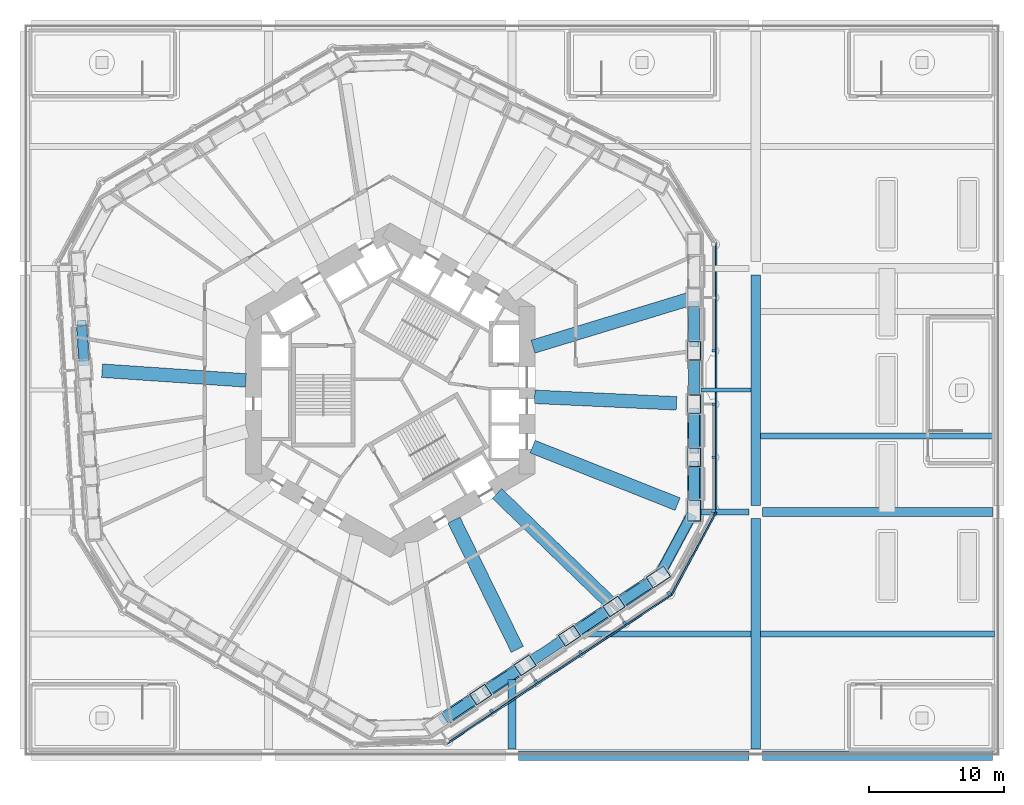
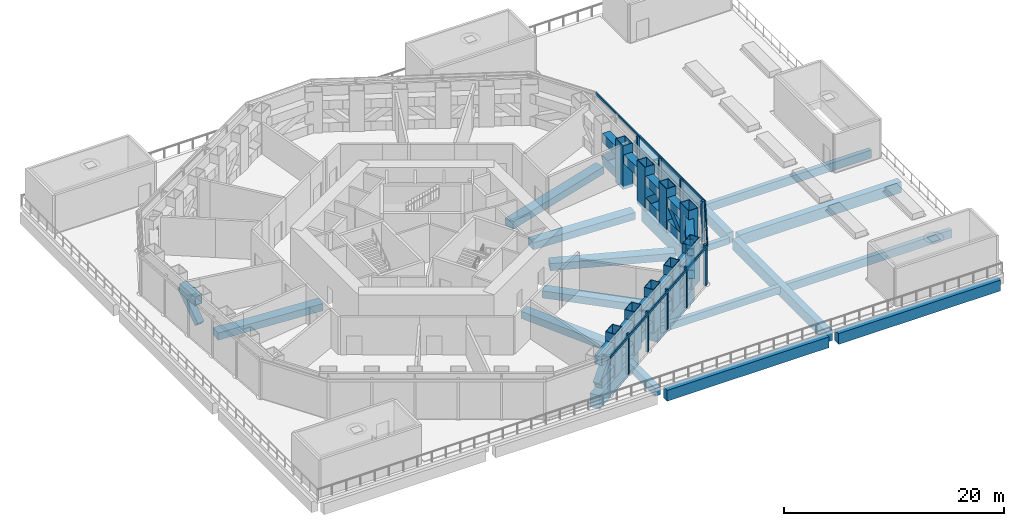
# One storey, part 2 of 20: 51 members, 20 beams, 3 elements without a shape of their own.
"""IFC4 building model written with IfcOpenShell, lengths in metres."""

from ifc_helpers import new_model, si_unit, direction, frame, origin, origin_2d, place, context, subcontext, project, spatial, rectangle, hollow_rectangle, extrude, material, material_profile, profile_set, type_object, element, aggregate, save


model = new_model("IFC4")

# Units and contexts
model_context = context("Model", 3, precision=1e-05, world=origin(), true_north=direction((0.0, 1.0)))
body_context = subcontext(model_context, "Body", "Model", "MODEL_VIEW")
ifc_project = project(units=[si_unit("LENGTHUNIT", "METRE"), si_unit("AREAUNIT", "SQUARE_METRE"), si_unit("VOLUMEUNIT", "CUBIC_METRE"), si_unit("PLANEANGLEUNIT", "RADIAN"), si_unit("MASSUNIT", "GRAM", prefix="KILO")], contexts=[model_context])

# Site, building, storey
site_placement = place(None, origin())
site = spatial("IfcSite", under=ifc_project, at=site_placement, CompositionType="ELEMENT")
building_placement = place(site_placement, origin())
building = spatial("IfcBuilding", under=site, at=building_placement, Name="Vanh Sen Convention Tower", CompositionType="ELEMENT")
storey_placement = place(building_placement, frame((0.0, 0.0, 34.5)))
storey = spatial("IfcBuildingStorey", under=building, at=storey_placement, Name="L05", CompositionType="ELEMENT", Elevation=34.5)

# Curtain wall, member
ifc_material_1 = material(Name="Concrete C50/60", Category="concrete")
curtain_wall_type = type_object("IfcCurtainWallType", Name="Outer skin hotel zone", PredefinedType="NOTDEFINED", material=ifc_material_1)
curtain_wall_1_placement = place(storey_placement, origin())
curtain_wall_1 = element("IfcCurtainWall", 1, at=curtain_wall_1_placement, inside=storey, type_object=curtain_wall_type, Name="OUTER SKIN E L05", PredefinedType="NOTDEFINED")
ifc_material_profile_1 = material_profile(ifc_material_1, rectangle(XDim=0.25, YDim=0.300048828125, at=origin_2d()), Name="Outer skin precast corner fin 250 x 300")
ifc_profile_set_1 = profile_set([ifc_material_profile_1], Name="Concrete C50/60")
member_type_1 = type_object("IfcMemberType", Name="Outer skin precast corner fin 250 x 300", PredefinedType="MULLION", material=ifc_profile_set_1)
member_1_placement = place(storey_placement, frame((23.89990234375, -8.899169921875, 0.0), z_axis=(0.0, 0.0, 1.0), x_axis=(0.0, 1.0, 0.0)))
member_1 = element("IfcMember", 2, at=member_1_placement, type_object=member_type_1, Name="OUTER SKIN CORNER FIN 1 E L05", PredefinedType="MULLION", context=body_context, shape_type="SweptSolid", body=[
    extrude(rectangle(XDim=0.25, YDim=0.300048828125, at=origin_2d()), origin(), (0.0, 0.0, 1.0), 4.5),
])

curtain_wall_2_placement = place(storey_placement, origin())
curtain_wall_2 = element("IfcCurtainWall", 3, at=curtain_wall_2_placement, inside=storey, type_object=curtain_wall_type, Name="OUTER SKIN SE L05", PredefinedType="NOTDEFINED")
member_2_placement = place(storey_placement, frame((20.6123046875, -15.01806640625, 0.0), z_axis=(0.0, 0.0, 1.0), x_axis=(0.833885822067, 0.551936985312, 0.0)))
member_2 = element("IfcMember", 4, at=member_2_placement, type_object=member_type_1, Name="OUTER SKIN CORNER FIN 6 SE L05", PredefinedType="MULLION", context=body_context, shape_type="SweptSolid", body=[
    extrude(rectangle(XDim=0.25, YDim=0.300048828125, at=origin_2d()), origin(), (0.0, 0.0, 1.0), 4.5),
])

# Member
ifc_material_profile_2 = material_profile(ifc_material_1, rectangle(XDim=0.199951171875, YDim=0.25, at=origin_2d()), Name="Outer skin precast fin 200 x 250")
ifc_profile_set_2 = profile_set([ifc_material_profile_2], Name="Concrete C50/60")
member_type_2 = type_object("IfcMemberType", Name="Outer skin precast fin 200 x 250", PredefinedType="MULLION", material=ifc_profile_set_2)
member_3_placement = place(storey_placement, frame((23.89990234375, -4.964599609375, 0.0), z_axis=(0.0, 0.0, 1.0), x_axis=(0.0, 1.0, 0.0)))
member_3 = element("IfcMember", 5, at=member_3_placement, type_object=member_type_2, Name="OUTER SKIN fin 2 E L05", PredefinedType="MULLION", context=body_context, shape_type="SweptSolid", body=[
    extrude(rectangle(XDim=0.199951171875, YDim=0.25, at=origin_2d()), origin(), (0.0, 0.0, 1.0), 4.5),
])

member_4_placement = place(storey_placement, frame((23.89990234375, -1.030029296875, 0.0), z_axis=(0.0, 0.0, 1.0), x_axis=(0.0, 1.0, 0.0)))
member_4 = element("IfcMember", 6, at=member_4_placement, type_object=member_type_2, Name="OUTER SKIN fin 3 E L05", PredefinedType="MULLION", context=body_context, shape_type="SweptSolid", body=[
    extrude(rectangle(XDim=0.199951171875, YDim=0.25, at=origin_2d()), origin(), (0.0, 0.0, 1.0), 4.5),
])

member_5_placement = place(storey_placement, frame((23.89990234375, 2.904541015625, 0.0), z_axis=(0.0, 0.0, 1.0), x_axis=(0.0, 1.0, 0.0)))
member_5 = element("IfcMember", 7, at=member_5_placement, type_object=member_type_2, Name="OUTER SKIN fin 4 E L05", PredefinedType="MULLION", context=body_context, shape_type="SweptSolid", body=[
    extrude(rectangle(XDim=0.199951171875, YDim=0.25, at=origin_2d()), origin(), (0.0, 0.0, 1.0), 4.5),
])

member_6_placement = place(storey_placement, frame((7.48828125, -23.70458984375, 0.0), z_axis=(0.0, 0.0, 1.0), x_axis=(0.833885822067, 0.551936985312, 0.0)))
member_6 = element("IfcMember", 8, at=member_6_placement, type_object=member_type_2, Name="OUTER SKIN fin 2 SE L05", PredefinedType="MULLION", context=body_context, shape_type="SweptSolid", body=[
    extrude(rectangle(XDim=0.199951171875, YDim=0.25, at=origin_2d()), origin(), (0.0, 0.0, 1.0), 4.5),
])

member_7_placement = place(storey_placement, frame((10.769287109375, -21.532958984375, 0.0), z_axis=(0.0, 0.0, 1.0), x_axis=(0.833885822067, 0.551936985312, 0.0)))
member_7 = element("IfcMember", 9, at=member_7_placement, type_object=member_type_2, Name="OUTER SKIN fin 3 SE L05", PredefinedType="MULLION", context=body_context, shape_type="SweptSolid", body=[
    extrude(rectangle(XDim=0.199951171875, YDim=0.25, at=origin_2d()), origin(), (0.0, 0.0, 1.0), 4.5),
])

member_8_placement = place(storey_placement, frame((14.05029296875, -19.361328125, 0.0), z_axis=(0.0, 0.0, 1.0), x_axis=(0.833885822067, 0.551936985312, 0.0)))
member_8 = element("IfcMember", 10, at=member_8_placement, type_object=member_type_2, Name="OUTER SKIN fin 4 SE L05", PredefinedType="MULLION", context=body_context, shape_type="SweptSolid", body=[
    extrude(rectangle(XDim=0.199951171875, YDim=0.25, at=origin_2d()), origin(), (0.0, 0.0, 1.0), 4.5),
])

member_9_placement = place(storey_placement, frame((17.331298828125, -17.189697265625, 0.0), z_axis=(0.0, 0.0, 1.0), x_axis=(0.833885822067, 0.551936985312, 0.0)))
member_9 = element("IfcMember", 11, at=member_9_placement, type_object=member_type_2, Name="OUTER SKIN fin 5 SE L05", PredefinedType="MULLION", context=body_context, shape_type="SweptSolid", body=[
    extrude(rectangle(XDim=0.199951171875, YDim=0.25, at=origin_2d()), origin(), (0.0, 0.0, 1.0), 4.5),
])

ifc_material_profile_3 = material_profile(ifc_material_1, rectangle(XDim=0.1201171875, YDim=0.25, at=origin_2d()), Name="Outer skin precast spandrel band 250 x 120")
ifc_profile_set_3 = profile_set([ifc_material_profile_3], Name="Concrete C50/60")
member_type_3 = type_object("IfcMemberType", Name="Outer skin precast spandrel band 250 x 120", PredefinedType="USERDEFINED", material=ifc_profile_set_3)
member_10_placement = place(storey_placement, frame((24.0849609375, -9.024169921875, 4.375), z_axis=(0.0, 1.0, 0.0), x_axis=(-1.0, 0.0, 0.0)))
member_10 = element("IfcMember", 12, at=member_10_placement, type_object=member_type_3, Name="OUTER SKIN spandrel band E L05", ObjectType="TRANSOM", PredefinedType="USERDEFINED", context=body_context, shape_type="SweptSolid", body=[
    extrude(rectangle(XDim=0.1201171875, YDim=0.25, at=origin_2d()), origin(), (0.0, 0.0, 1.0), 19.9228515625),
])

aggregate(curtain_wall_1, [member_1, member_3, member_4, member_5, member_10])

member_11_placement = place(storey_placement, frame((4.205078125, -26.099609375, 4.375), z_axis=(0.833883851182, 0.551939962984, 0.0), x_axis=(-0.551939962984, 0.833883851182, 0.0)))
member_11 = element("IfcMember", 13, at=member_11_placement, type_object=member_type_3, Name="OUTER SKIN spandrel band SE L05", ObjectType="TRANSOM", PredefinedType="USERDEFINED", context=body_context, shape_type="SweptSolid", body=[
    extrude(rectangle(XDim=0.1201171875, YDim=0.25, at=origin_2d()), origin(), (0.0, 0.0, 1.0), 19.923095703125),
])

aggregate(curtain_wall_2, [member_6, member_7, member_8, member_9, member_2, member_11])

# Curtain wall, member
curtain_wall_3_placement = place(storey_placement, origin())
curtain_wall_3 = element("IfcCurtainWall", 14, at=curtain_wall_3_placement, inside=storey, type_object=curtain_wall_type, Name="OUTER SKIN CH6 L05", PredefinedType="NOTDEFINED")
member_12_placement = place(storey_placement, frame((20.797119140625, -15.117431640625, 4.375), z_axis=(0.473324148816, 0.880888330123, 0.0), x_axis=(-0.880888330123, 0.473324148816, 0.0)))
member_12 = element("IfcMember", 15, at=member_12_placement, type_object=member_type_3, Name="OUTER SKIN spandrel band CH6 L05", ObjectType="TRANSOM", PredefinedType="USERDEFINED", context=body_context, shape_type="SweptSolid", body=[
    extrude(rectangle(XDim=0.1201171875, YDim=0.25, at=origin_2d()), origin(), (0.0, 0.0, 1.0), 6.9462890625),
])
aggregate(curtain_wall_3, [member_12])

# Beams
ifc_material_2 = material(Name="Concrete C50/60", Category="concrete")
ifc_material_profile_4 = material_profile(ifc_material_2, rectangle(XDim=0.449951171875, YDim=0.699951171875, at=origin_2d()), Name="RC 450X700")
ifc_profile_set_4 = profile_set([ifc_material_profile_4], Name="Concrete C50/60")
beam_type_1 = type_object("IfcBeamType", Name="Podium girder 450 x 700", PredefinedType="BEAM", material=ifc_profile_set_4)
beam_1_placement = place(storey_placement, frame((22.96337890625, -9.0, -0.699951171875), z_axis=(1.0, 0.0, 0.0), x_axis=(0.0, 1.0, 0.0)))
element("IfcBeam", 16, at=beam_1_placement, inside=storey, type_object=beam_type_1, Name="Podium girder 19 L05", PredefinedType="BEAM", context=body_context, shape_type="SweptSolid", body=[
    extrude(rectangle(XDim=0.449951171875, YDim=0.699951171875, at=origin_2d()), origin(), (0.0, 0.0, 1.0), 3.54150390625),
])
ifc_material_profile_5 = material_profile(ifc_material_2, rectangle(XDim=0.60009765625, YDim=0.89990234375, at=origin_2d()), Name="RC 600X900")
ifc_profile_set_5 = profile_set([ifc_material_profile_5], Name="Concrete C50/60")
beam_type_2 = type_object("IfcBeamType", Name="Podium girder 600 x 900", PredefinedType="BEAM", material=ifc_profile_set_5)
beam_2_placement = place(storey_placement, frame((9.0, -26.5048828125, -0.800048828125), z_axis=(0.0, 1.0, 0.0), x_axis=(-1.0, 0.0, 0.0)))
element("IfcBeam", 17, at=beam_2_placement, inside=storey, type_object=beam_type_2, Name="Podium girder 06 L05", PredefinedType="BEAM", context=body_context, shape_type="SweptSolid", body=[
    extrude(rectangle(XDim=0.60009765625, YDim=0.89990234375, at=origin_2d()), origin(), (0.0, 0.0, 1.0), 5.143798828125),
])
ifc_material_profile_6 = material_profile(ifc_material_2, rectangle(XDim=0.699951171875, YDim=1.199951171875, at=origin_2d()), Name="RC 700X1200")
ifc_profile_set_6 = profile_set([ifc_material_profile_6], Name="Concrete C50/60")
beam_type_3 = type_object("IfcBeamType", Name="Podium girder 700 x 1200", PredefinedType="BEAM", material=ifc_profile_set_6)
for number, where, z_axis, x_axis, name in (
    (18, (27.0, -26.5048828125, -0.949951171875), (0.0, 1.0, 0.0), (-1.0, 0.0, 0.0), "Podium girder 08 L05"),
    (19, (27.0, -8.5048828125, -0.949951171875), (0.0, 1.0, 0.0), (-1.0, 0.0, 0.0), "Podium girder 09 L05"),
    (20, (9.4951171875, -27.0, -0.949951171875), (1.0, 0.0, 0.0), (0.0, 1.0, 0.0), "Podium girder 16 L05"),
    (21, (27.4951171875, -27.0, -0.949951171875), (1.0, 0.0, 0.0), (0.0, 1.0, 0.0), "Podium girder 17 L05"),
    (22, (27.4951171875, -9.0, -0.949951171875), (1.0, 0.0, 0.0), (0.0, 1.0, 0.0), "Podium girder 20 L05"),
):
    element("IfcBeam", number, at=place(storey_placement, frame(where, z_axis=z_axis, x_axis=x_axis)), inside=storey, type_object=beam_type_3, Name=name, PredefinedType="BEAM", context=body_context, shape_type="SweptSolid", body=[
        extrude(rectangle(XDim=0.699951171875, YDim=1.199951171875, at=origin_2d()), origin(), (0.0, 0.0, 1.0), 17.009765625),
    ])
ifc_material_profile_7 = material_profile(ifc_material_2, rectangle(XDim=1.0, YDim=1.5, at=origin_2d()), Name="RC 1000X1500")
ifc_profile_set_7 = profile_set([ifc_material_profile_7], Name="Concrete C50/60")
beam_type_4 = type_object("IfcBeamType", Name="Podium ring girder 1000 x 1500", PredefinedType="BEAM", material=ifc_profile_set_7)
beam_3_placement = place(storey_placement, frame((3.486083984375, -24.61474609375, -1.10009765625), z_axis=(0.833877643649, 0.551949341355, 0.0), x_axis=(-0.551949341355, 0.833877643649, 0.0)))
element("IfcBeam", 23, at=beam_3_placement, inside=storey, type_object=beam_type_4, Name="Ring girder 10 L05", PredefinedType="BEAM", context=body_context, shape_type="SweptSolid", body=[
    extrude(rectangle(XDim=1.0, YDim=1.5, at=origin_2d()), origin(), (0.0, 0.0, 1.0), 7.934814453125),
])
for number, where, z_axis, x_axis, name in (
    (24, (13.3564453125, -18.081787109375, -1.10009765625), (0.83387759724, 0.551949411469, 0.0), (-0.551949411469, 0.83387759724, 0.0), "Ring girder 11 L05"),
    (25, (22.449951171875, -8.662109375, -1.10009765625), (0.0, 1.0, 0.0), (-1.0, 0.0, 0.0), "Ring girder 12 L05"),
):
    element("IfcBeam", number, at=place(storey_placement, frame(where, z_axis=z_axis, x_axis=x_axis)), inside=storey, type_object=beam_type_4, Name=name, PredefinedType="BEAM", context=body_context, shape_type="SweptSolid", body=[
        extrude(rectangle(XDim=1.0, YDim=1.5, at=origin_2d()), origin(), (0.0, 0.0, 1.0), 7.50439453125),
    ])
ifc_material_profile_8 = material_profile(ifc_material_2, rectangle(XDim=0.300048828125, YDim=0.5, at=origin_2d()), Name="RC 300X500")
ifc_profile_set_8 = profile_set([ifc_material_profile_8], Name="Concrete C50/60")
beam_type_5 = type_object("IfcBeamType", Name="Podium secondary beam 300 x 500", PredefinedType="BEAM", material=ifc_profile_set_8)
beam_4_placement = place(storey_placement, frame((22.949951171875, 0.0, -0.60009765625), z_axis=(1.0, 0.0, 0.0), x_axis=(0.0, 1.0, 0.0)))
element("IfcBeam", 26, at=beam_4_placement, inside=storey, type_object=beam_type_5, Name="Podium secondary beam 05 L05", PredefinedType="BEAM", context=body_context, shape_type="SweptSolid", body=[
    extrude(rectangle(XDim=0.300048828125, YDim=0.5, at=origin_2d()), origin(), (0.0, 0.0, 1.0), 3.705078125),
])
ifc_material_profile_9 = material_profile(ifc_material_2, rectangle(XDim=0.449951171875, YDim=0.800048828125, at=origin_2d()), Name="RC 450X800")
ifc_profile_set_9 = profile_set([ifc_material_profile_9], Name="Concrete C50/60")
beam_type_6 = type_object("IfcBeamType", Name="Podium secondary beam 450 x 800", PredefinedType="BEAM", material=ifc_profile_set_9)
beam_5_placement = place(storey_placement, frame((14.041015625, -18.0, -0.75), z_axis=(1.0, 0.0, 0.0), x_axis=(0.0, 1.0, 0.0)))
element("IfcBeam", 27, at=beam_5_placement, inside=storey, type_object=beam_type_6, Name="Podium secondary beam 02 L05", PredefinedType="BEAM", context=body_context, shape_type="SweptSolid", body=[
    extrude(rectangle(XDim=0.449951171875, YDim=0.800048828125, at=origin_2d()), origin(), (0.0, 0.0, 1.0), 12.614013671875),
])
ifc_material_profile_10 = material_profile(ifc_material_2, rectangle(XDim=0.449951171875, YDim=0.89990234375, at=origin_2d()), Name="RC 450X900")
ifc_profile_set_10 = profile_set([ifc_material_profile_10], Name="Concrete C50/60")
beam_type_7 = type_object("IfcBeamType", Name="Podium secondary beam 450 x 900", PredefinedType="BEAM", material=ifc_profile_set_10)
for number, where, z_axis, x_axis, name in (
    (28, (27.344970703125, -18.0, -0.800048828125), (1.0, 0.0, 0.0), (0.0, 1.0, 0.0), "Podium secondary beam 03 L05"),
    (29, (27.344970703125, -3.3994140625, -0.800048828125), (1.0, 0.0, 0.0), (0.0, 1.0, 0.0), "Podium secondary beam 06 L05"),
):
    element("IfcBeam", number, at=place(storey_placement, frame(where, z_axis=z_axis, x_axis=x_axis)), inside=storey, type_object=beam_type_7, Name=name, PredefinedType="BEAM", context=body_context, shape_type="SweptSolid", body=[
        extrude(rectangle(XDim=0.449951171875, YDim=0.89990234375, at=origin_2d()), origin(), (0.0, 0.0, 1.0), 17.31005859375),
    ])
ifc_material_profile_11 = material_profile(ifc_material_2, rectangle(XDim=1.0, YDim=0.800048828125, at=origin_2d()), Name="RC 1000X800")
ifc_profile_set_11 = profile_set([ifc_material_profile_11], Name="Concrete C50/60")
beam_type_8 = type_object("IfcBeamType", Name="Radial floor beam 1000 x 800", PredefinedType="BEAM", material=ifc_profile_set_11)
beam_6_placement = place(storey_placement, frame((21.238037109375, -8.418701171875, -0.75), z_axis=(-0.929626395453, 0.368503412299, 0.0), x_axis=(-0.368503412299, -0.929626395453, 0.0)))
element("IfcBeam", 30, at=beam_6_placement, inside=storey, type_object=beam_type_8, Name="Radial beam 01 L05", PredefinedType="BEAM", context=body_context, shape_type="SweptSolid", body=[
    extrude(rectangle(XDim=1.0, YDim=0.800048828125, at=origin_2d()), origin(), (0.0, 0.0, 1.0), 11.5390625),
])
beam_7_placement = place(storey_placement, frame((21.155029296875, -0.970703125, -0.75), z_axis=(-0.998949166628, 0.045831893853, 0.0), x_axis=(-0.045831893853, -0.998949166628, 0.0)))
element("IfcBeam", 31, at=beam_7_placement, inside=storey, type_object=beam_type_8, Name="Radial beam 02 L05", PredefinedType="BEAM", context=body_context, shape_type="SweptSolid", body=[
    extrude(rectangle(XDim=1.0, YDim=0.800048828125, at=origin_2d()), origin(), (0.0, 0.0, 1.0), 10.493896484375),
])
beam_8_placement = place(storey_placement, frame((22.1005859375, 6.732666015625, -0.75), z_axis=(-0.95659843119, -0.291409405211, 0.0), x_axis=(0.291409405211, -0.95659843119, 0.0)))
element("IfcBeam", 32, at=beam_8_placement, inside=storey, type_object=beam_type_8, Name="Radial beam 03 L05", PredefinedType="BEAM", context=body_context, shape_type="SweptSolid", body=[
    extrude(rectangle(XDim=1.0, YDim=0.800048828125, at=origin_2d()), origin(), (0.0, 0.0, 1.0), 12.0751953125),
])
beam_9_placement = place(storey_placement, frame((-21.282470703125, 1.4404296875, -0.75), z_axis=(0.997718193442, -0.067515971992, 0.0), x_axis=(0.067515971992, 0.997718193442, 0.0)))
element("IfcBeam", 33, at=beam_9_placement, inside=storey, type_object=beam_type_8, Name="Radial beam 11 L05", PredefinedType="BEAM", context=body_context, shape_type="SweptSolid", body=[
    extrude(rectangle(XDim=1.0, YDim=0.800048828125, at=origin_2d()), origin(), (0.0, 0.0, 1.0), 10.6455078125),
])
beam_10_placement = place(storey_placement, frame((9.393798828125, -19.151611328125, -0.75), z_axis=(-0.440366399131, 0.897818152254, 0.0), x_axis=(-0.897818152254, -0.440366399131, 0.0)))
element("IfcBeam", 34, at=beam_10_placement, inside=storey, type_object=beam_type_8, Name="Radial beam 17 L05", PredefinedType="BEAM", context=body_context, shape_type="SweptSolid", body=[
    extrude(rectangle(XDim=1.0, YDim=0.800048828125, at=origin_2d()), origin(), (0.0, 0.0, 1.0), 10.645751953125),
])
beam_11_placement = place(storey_placement, frame((16.245849609375, -15.705078125, -0.75), z_axis=(-0.718976471313, 0.695034411881, 0.0), x_axis=(-0.695034411881, -0.718976471313, 0.0)))
element("IfcBeam", 35, at=beam_11_placement, inside=storey, type_object=beam_type_8, Name="Radial beam 18 L05", PredefinedType="BEAM", context=body_context, shape_type="SweptSolid", body=[
    extrude(rectangle(XDim=1.0, YDim=0.800048828125, at=origin_2d()), origin(), (0.0, 0.0, 1.0), 11.614501953125),
])

# Members
ifc_material_3 = material(Name="Steel S460", Category="steel")
ifc_material_profile_12 = material_profile(ifc_material_3, hollow_rectangle(XDim=0.800048828125, YDim=1.0, WallThickness=0.06005859375, at=origin_2d()), Name="BOX 1000X800X60")
ifc_profile_set_12 = profile_set([ifc_material_profile_12], Name="Steel S460")
member_type_4 = type_object("IfcMemberType", Name="Transfer truss chord BOX 1000X800X60", PredefinedType="CHORD", material=ifc_profile_set_12)
for number, where, z_axis, x_axis, name in (
    (36, (22.449951171875, -8.104248046875, 0.5), (0.0, 1.0, 0.0), (-1.0, 0.0, 0.0), "TRANSFER TRUSS chord bottom 01"),
    (37, (22.449951171875, -8.104248046875, 3.0), (0.0, 1.0, 0.0), (-1.0, 0.0, 0.0), "TRANSFER TRUSS chord top 01"),
):
    element("IfcMember", number, at=place(storey_placement, frame(where, z_axis=z_axis, x_axis=x_axis)), inside=storey, type_object=member_type_4, Name=name, PredefinedType="CHORD", context=body_context, shape_type="SweptSolid", body=[
        extrude(hollow_rectangle(XDim=0.800048828125, YDim=1.0, WallThickness=0.06005859375, at=origin_2d()), origin(), (0.0, 0.0, 1.0), 2.444580078125),
    ])
for number, where, z_axis, x_axis, name in (
    (38, (22.449951171875, -4.26953125, 0.5), (0.0, 1.0, 0.0), (-1.0, 0.0, 0.0), "TRANSFER TRUSS chord bottom 02"),
    (39, (22.449951171875, -4.26953125, 3.0), (0.0, 1.0, 0.0), (-1.0, 0.0, 0.0), "TRANSFER TRUSS chord top 02"),
):
    element("IfcMember", number, at=place(storey_placement, frame(where, z_axis=z_axis, x_axis=x_axis)), inside=storey, type_object=member_type_4, Name=name, PredefinedType="CHORD", context=body_context, shape_type="SweptSolid", body=[
        extrude(hollow_rectangle(XDim=0.800048828125, YDim=1.0, WallThickness=0.06005859375, at=origin_2d()), origin(), (0.0, 0.0, 1.0), 2.54443359375),
    ])
member_13_placement = place(storey_placement, frame((22.449951171875, -0.335205078125, 3.0), z_axis=(0.0, 1.0, 0.0), x_axis=(-1.0, 0.0, 0.0)))
element("IfcMember", 40, at=member_13_placement, inside=storey, type_object=member_type_4, Name="TRANSFER TRUSS chord top 03", PredefinedType="CHORD", context=body_context, shape_type="SweptSolid", body=[
    extrude(hollow_rectangle(XDim=0.800048828125, YDim=1.0, WallThickness=0.06005859375, at=origin_2d()), origin(), (0.0, 0.0, 1.0), 2.544677734375),
])
for number, where, z_axis, x_axis, name in (
    (41, (22.449951171875, 3.599609375, 0.5), (0.0, 1.0, 0.0), (-1.0, 0.0, 0.0), "TRANSFER TRUSS chord bottom 04"),
    (42, (22.449951171875, 3.599609375, 3.0), (0.0, 1.0, 0.0), (-1.0, 0.0, 0.0), "TRANSFER TRUSS chord top 04"),
    (43, (-22.783203125, 4.76220703125, 3.0), (0.061117866389, -0.998130555793, 0.0), (0.998130555793, 0.061117866389, 0.0), "TRANSFER TRUSS chord top 20"),
):
    element("IfcMember", number, at=place(storey_placement, frame(where, z_axis=z_axis, x_axis=x_axis)), inside=storey, type_object=member_type_4, Name=name, PredefinedType="CHORD", context=body_context, shape_type="SweptSolid", body=[
        extrude(hollow_rectangle(XDim=0.800048828125, YDim=1.0, WallThickness=0.06005859375, at=origin_2d()), origin(), (0.0, 0.0, 1.0), 2.54443359375),
    ])
for number, where, z_axis, x_axis, name in (
    (44, (4.06982421875, -24.228271484375, 0.5), (0.833920038997, 0.551885285688, 0.0), (-0.551885285688, 0.833920038997, 0.0), "TRANSFER TRUSS chord bottom 31"),
    (45, (4.06982421875, -24.228271484375, 3.0), (0.833920038997, 0.551885285688, 0.0), (-0.551885285688, 0.833920038997, 0.0), "TRANSFER TRUSS chord top 31"),
):
    element("IfcMember", number, at=place(storey_placement, frame(where, z_axis=z_axis, x_axis=x_axis)), inside=storey, type_object=member_type_4, Name=name, PredefinedType="CHORD", context=body_context, shape_type="SweptSolid", body=[
        extrude(hollow_rectangle(XDim=0.800048828125, YDim=1.0, WallThickness=0.06005859375, at=origin_2d()), origin(), (0.0, 0.0, 1.0), 2.444580078125),
    ])
for number, where, z_axis, x_axis, name in (
    (46, (7.267578125, -22.11181640625, 0.5), (0.833905579906, 0.551907133313, 0.0), (-0.551907133313, 0.833905579906, 0.0), "TRANSFER TRUSS chord bottom 32"),
    (47, (7.267578125, -22.11181640625, 3.0), (0.833905579906, 0.551907133313, 0.0), (-0.551907133313, 0.833905579906, 0.0), "TRANSFER TRUSS chord top 32"),
):
    element("IfcMember", number, at=place(storey_placement, frame(where, z_axis=z_axis, x_axis=x_axis)), inside=storey, type_object=member_type_4, Name=name, PredefinedType="CHORD", context=body_context, shape_type="SweptSolid", body=[
        extrude(hollow_rectangle(XDim=0.800048828125, YDim=1.0, WallThickness=0.06005859375, at=origin_2d()), origin(), (0.0, 0.0, 1.0), 2.54443359375),
    ])
for number, where, z_axis, x_axis, name in (
    (48, (10.54833984375, -19.940185546875, 0.5), (0.833934803056, 0.551862975975, 0.0), (-0.551862975975, 0.833934803056, 0.0), "TRANSFER TRUSS chord bottom 33"),
    (49, (10.54833984375, -19.940185546875, 3.0), (0.833934803056, 0.551862975975, 0.0), (-0.551862975975, 0.833934803056, 0.0), "TRANSFER TRUSS chord top 33"),
):
    element("IfcMember", number, at=place(storey_placement, frame(where, z_axis=z_axis, x_axis=x_axis)), inside=storey, type_object=member_type_4, Name=name, PredefinedType="CHORD", context=body_context, shape_type="SweptSolid", body=[
        extrude(hollow_rectangle(XDim=0.800048828125, YDim=1.0, WallThickness=0.06005859375, at=origin_2d()), origin(), (0.0, 0.0, 1.0), 2.544677734375),
    ])
for number, where, z_axis, x_axis, name in (
    (50, (13.82958984375, -17.7685546875, 0.5), (0.833905579906, 0.551907133313, 0.0), (-0.551907133313, 0.833905579906, 0.0), "TRANSFER TRUSS chord bottom 34"),
    (51, (13.82958984375, -17.7685546875, 3.0), (0.833905579906, 0.551907133313, 0.0), (-0.551907133313, 0.833905579906, 0.0), "TRANSFER TRUSS chord top 34"),
):
    element("IfcMember", number, at=place(storey_placement, frame(where, z_axis=z_axis, x_axis=x_axis)), inside=storey, type_object=member_type_4, Name=name, PredefinedType="CHORD", context=body_context, shape_type="SweptSolid", body=[
        extrude(hollow_rectangle(XDim=0.800048828125, YDim=1.0, WallThickness=0.06005859375, at=origin_2d()), origin(), (0.0, 0.0, 1.0), 2.54443359375),
    ])
for number, where, z_axis, x_axis, name in (
    (52, (17.1103515625, -15.596923828125, 0.5), (0.833920038997, 0.551885285688, 0.0), (-0.551885285688, 0.833920038997, 0.0), "TRANSFER TRUSS chord bottom 35"),
    (53, (17.1103515625, -15.596923828125, 3.0), (0.833920038997, 0.551885285688, 0.0), (-0.551885285688, 0.833920038997, 0.0), "TRANSFER TRUSS chord top 35"),
):
    element("IfcMember", number, at=place(storey_placement, frame(where, z_axis=z_axis, x_axis=x_axis)), inside=storey, type_object=member_type_4, Name=name, PredefinedType="CHORD", context=body_context, shape_type="SweptSolid", body=[
        extrude(hollow_rectangle(XDim=0.800048828125, YDim=1.0, WallThickness=0.06005859375, at=origin_2d()), origin(), (0.0, 0.0, 1.0), 2.444580078125),
    ])
for number, where, z_axis, x_axis, name in (
    (54, (19.957275390625, -13.53857421875, 0.5), (0.473307048763, 0.880897518212, 0.0), (-0.880897518212, 0.473307048763, 0.0), "TRANSFER TRUSS chord bottom 36"),
    (55, (19.957275390625, -13.53857421875, 3.0), (0.473307048763, 0.880897518212, 0.0), (-0.880897518212, 0.473307048763, 0.0), "TRANSFER TRUSS chord top 36"),
):
    element("IfcMember", number, at=place(storey_placement, frame(where, z_axis=z_axis, x_axis=x_axis)), inside=storey, type_object=member_type_4, Name=name, PredefinedType="CHORD", context=body_context, shape_type="SweptSolid", body=[
        extrude(hollow_rectangle(XDim=0.800048828125, YDim=1.0, WallThickness=0.06005859375, at=origin_2d()), origin(), (0.0, 0.0, 1.0), 4.959716796875),
    ])
ifc_material_4 = material(Name="Steel S355", Category="steel")
ifc_material_profile_13 = material_profile(ifc_material_4, hollow_rectangle(XDim=0.699951171875, YDim=0.699951171875, WallThickness=0.050048828125, at=origin_2d()), Name="BOX 700X700X50")
ifc_profile_set_13 = profile_set([ifc_material_profile_13], Name="Steel S355")
member_type_5 = type_object("IfcMemberType", Name="Transfer truss diagonal BOX 700X700X50", PredefinedType="BRACE", material=ifc_profile_set_13)
member_14_placement = place(storey_placement, frame((22.449951171875, -8.2919921875, 0.5), z_axis=(0.0, 0.748295047752, 0.663366053933), x_axis=(-1.0, 0.0, 0.0)))
element("IfcMember", 56, at=member_14_placement, inside=storey, type_object=member_type_5, Name="TRANSFER TRUSS diagonal 01", PredefinedType="BRACE", context=body_context, shape_type="SweptSolid", body=[
    extrude(hollow_rectangle(XDim=0.699951171875, YDim=0.699951171875, WallThickness=0.050048828125, at=origin_2d()), origin(), (0.0, 0.0, 1.0), 3.7685546875),
])
for number, where, z_axis, x_axis, name in (
    (57, (22.449951171875, -4.457275390625, 3.0), (0.0, 0.759615148552, -0.650372836218), (-1.0, 0.0, 0.0), "TRANSFER TRUSS diagonal 02"),
    (58, (22.449951171875, 3.411865234375, 3.0), (0.0, 0.759615148552, -0.650372836218), (-1.0, 0.0, 0.0), "TRANSFER TRUSS diagonal 04"),
    (59, (-22.794677734375, 4.949462890625, 3.0), (0.046363801714, -0.758206938174, -0.650363465145), (0.998135610229, 0.061035265159, 0.0), "TRANSFER TRUSS diagonal 20"),
):
    element("IfcMember", number, at=place(storey_placement, frame(where, z_axis=z_axis, x_axis=x_axis)), inside=storey, type_object=member_type_5, Name=name, PredefinedType="BRACE", context=body_context, shape_type="SweptSolid", body=[
        extrude(hollow_rectangle(XDim=0.699951171875, YDim=0.699951171875, WallThickness=0.050048828125, at=origin_2d()), origin(), (0.0, 0.0, 1.0), 3.843994140625),
    ])
member_15_placement = place(storey_placement, frame((3.913330078125, -24.331787109375, 0.5), z_axis=(0.623991201497, 0.412992515525, 0.663379350428), x_axis=(-0.551920024833, 0.833897047716, 0.0)))
element("IfcMember", 60, at=member_15_placement, inside=storey, type_object=member_type_5, Name="TRANSFER TRUSS diagonal 31", PredefinedType="BRACE", context=body_context, shape_type="SweptSolid", body=[
    extrude(hollow_rectangle(XDim=0.699951171875, YDim=0.699951171875, WallThickness=0.050048828125, at=origin_2d()), origin(), (0.0, 0.0, 1.0), 3.7685546875),
])
member_16_placement = place(storey_placement, frame((7.11083984375, -22.215576171875, 3.0), z_axis=(0.63346269993, 0.419238748971, -0.650356732232), x_axis=(-0.551899393171, 0.833910702544, 0.0)))
element("IfcMember", 61, at=member_16_placement, inside=storey, type_object=member_type_5, Name="TRANSFER TRUSS diagonal 32", PredefinedType="BRACE", context=body_context, shape_type="SweptSolid", body=[
    extrude(hollow_rectangle(XDim=0.699951171875, YDim=0.699951171875, WallThickness=0.050048828125, at=origin_2d()), origin(), (0.0, 0.0, 1.0), 3.843994140625),
])
for number, where, z_axis, x_axis, name in (
    (62, (10.391845703125, -20.0439453125, 0.5), (0.633445832469, 0.419291095444, 0.650339414927), (-0.551957531055, 0.833872222772, 0.0), "TRANSFER TRUSS diagonal 33"),
    (63, (13.6728515625, -17.872314453125, 3.0), (0.633445832469, 0.419291095444, -0.650339414927), (-0.551957531055, 0.833872222772, 0.0), "TRANSFER TRUSS diagonal 34"),
):
    element("IfcMember", number, at=place(storey_placement, frame(where, z_axis=z_axis, x_axis=x_axis)), inside=storey, type_object=member_type_5, Name=name, PredefinedType="BRACE", context=body_context, shape_type="SweptSolid", body=[
        extrude(hollow_rectangle(XDim=0.699951171875, YDim=0.699951171875, WallThickness=0.050048828125, at=origin_2d()), origin(), (0.0, 0.0, 1.0), 3.84423828125),
    ])
member_17_placement = place(storey_placement, frame((16.953857421875, -15.70068359375, 0.5), z_axis=(0.623974506003, 0.413046246914, 0.663361601066), x_axis=(-0.551980223892, 0.833857201463, 0.0)))
element("IfcMember", 64, at=member_17_placement, inside=storey, type_object=member_type_5, Name="TRANSFER TRUSS diagonal 35", PredefinedType="BRACE", context=body_context, shape_type="SweptSolid", body=[
    extrude(hollow_rectangle(XDim=0.699951171875, YDim=0.699951171875, WallThickness=0.050048828125, at=origin_2d()), origin(), (0.0, 0.0, 1.0), 3.768798828125),
])
member_18_placement = place(storey_placement, frame((19.933349609375, -13.582763671875, 3.0), z_axis=(0.424392113236, 0.789738743385, -0.442949265063), x_axis=(-0.8808674009, 0.473363097455, 0.0)))
element("IfcMember", 65, at=member_18_placement, inside=storey, type_object=member_type_5, Name="TRANSFER TRUSS diagonal 36", PredefinedType="BRACE", context=body_context, shape_type="SweptSolid", body=[
    extrude(hollow_rectangle(XDim=0.699951171875, YDim=0.699951171875, WallThickness=0.050048828125, at=origin_2d()), origin(), (0.0, 0.0, 1.0), 5.64404296875),
])
ifc_material_profile_14 = material_profile(ifc_material_3, hollow_rectangle(XDim=1.39990234375, YDim=1.0, WallThickness=0.06005859375, at=origin_2d()), Name="BOX 1000X1400X60")
ifc_profile_set_14 = profile_set([ifc_material_profile_14], Name="Steel S460")
member_type_6 = type_object("IfcMemberType", Name="Transfer truss post BOX 1000X1400X60", PredefinedType="POST", material=ifc_profile_set_14)
for number, where, z_axis, x_axis, name in (
    (66, (22.449951171875, -4.964599609375, -0.35009765625), (0.0, 0.0, 1.0), (0.0, 1.0, 0.0), "TRANSFER TRUSS post 02"),
    (67, (22.449951171875, -1.030029296875, -0.35009765625), (0.0, 0.0, 1.0), (0.0, 1.0, 0.0), "TRANSFER TRUSS post 03"),
    (68, (22.449951171875, 2.904541015625, -0.35009765625), (0.0, 0.0, 1.0), (0.0, 1.0, 0.0), "TRANSFER TRUSS post 04"),
    (69, (6.68798828125, -22.49560546875, -0.35009765625), (0.0, 0.0, 1.0), (0.833885822067, 0.551936985312, 0.0), "TRANSFER TRUSS post 32"),
    (70, (9.968994140625, -20.323974609375, -0.35009765625), (0.0, 0.0, 1.0), (0.833885822067, 0.551936985312, 0.0), "TRANSFER TRUSS post 33"),
    (71, (13.25, -18.152099609375, -0.35009765625), (0.0, 0.0, 1.0), (0.833885822067, 0.551936985312, 0.0), "TRANSFER TRUSS post 34"),
    (72, (16.531005859375, -15.980712890625, -0.35009765625), (0.0, 0.0, 1.0), (0.833885822067, 0.551936985312, 0.0), "TRANSFER TRUSS post 35"),
):
    element("IfcMember", number, at=place(storey_placement, frame(where, z_axis=z_axis, x_axis=x_axis)), inside=storey, type_object=member_type_6, Name=name, PredefinedType="POST", context=body_context, shape_type="SweptSolid", body=[
        extrude(hollow_rectangle(XDim=1.39990234375, YDim=1.0, WallThickness=0.06005859375, at=origin_2d()), origin(), (0.0, 0.0, 1.0), 4.85009765625),
    ])
ifc_material_profile_15 = material_profile(ifc_material_3, hollow_rectangle(XDim=1.60009765625, YDim=1.0, WallThickness=0.06005859375, at=origin_2d()), Name="BOX 1000X1600X60")
ifc_profile_set_15 = profile_set([ifc_material_profile_15], Name="Steel S460")
member_type_7 = type_object("IfcMemberType", Name="Transfer truss post BOX 1000X1600X60", PredefinedType="POST", material=ifc_profile_set_15)
for number, where, z_axis, x_axis, name in (
    (73, (22.449951171875, -8.899169921875, -0.35009765625), (0.0, 0.0, 1.0), (0.0, 1.0, 0.0), "TRANSFER TRUSS post 01"),
    (74, (19.81201171875, -13.808837890625, -0.35009765625), (0.0, 0.0, 1.0), (0.833885822067, 0.551936985312, 0.0), "TRANSFER TRUSS post 36"),
):
    element("IfcMember", number, at=place(storey_placement, frame(where, z_axis=z_axis, x_axis=x_axis)), inside=storey, type_object=member_type_7, Name=name, PredefinedType="POST", context=body_context, shape_type="SweptSolid", body=[
        extrude(hollow_rectangle(XDim=1.60009765625, YDim=1.0, WallThickness=0.06005859375, at=origin_2d()), origin(), (0.0, 0.0, 1.0), 4.85009765625),
    ])

save(model, "model.ifc")
